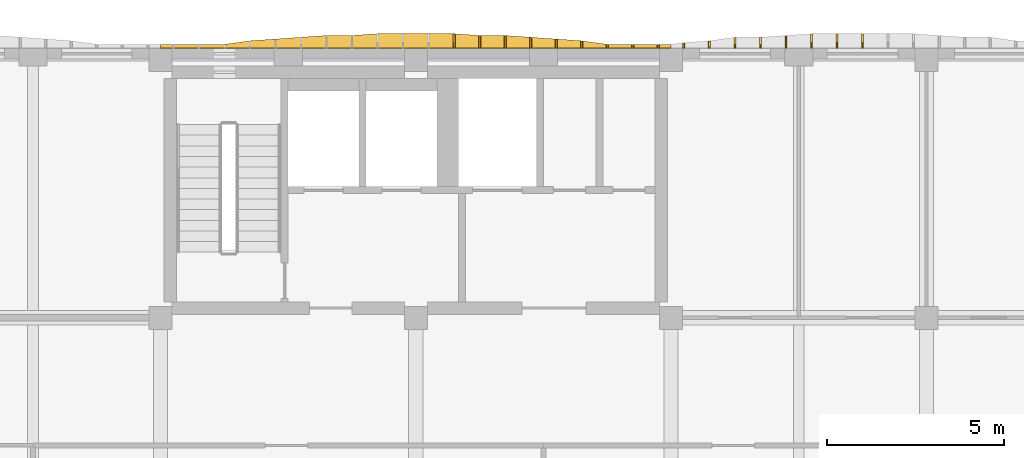
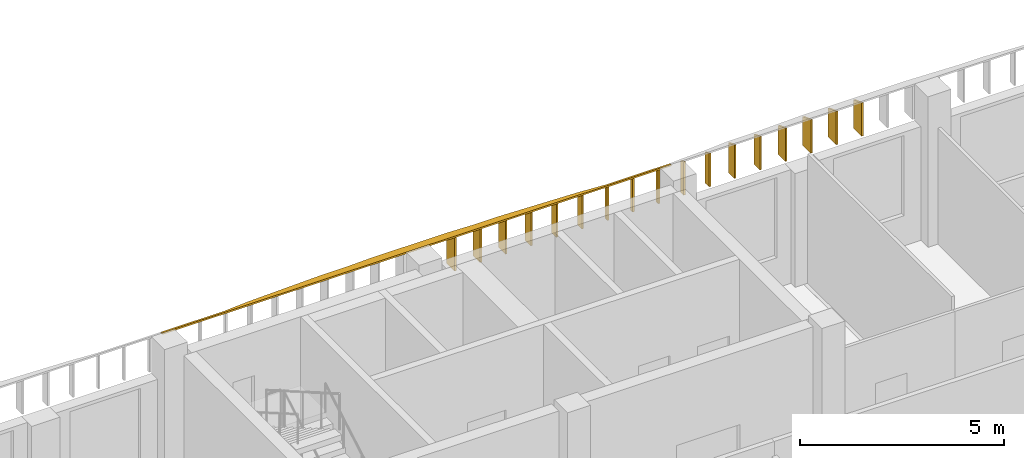
# One storey, part 44 of 54: 18 shading devices.
"""IFC4 building model written with IfcOpenShell, lengths in metres."""

from ifc_helpers import new_model, si_unit, direction, frame, origin, place, context, subcontext, project, spatial, polyline, outline, extrude, material, layer, layer_set, type_object, element, save


model = new_model("IFC4")

# Units and contexts
model_context = context("Model", 3, precision=1e-05, world=origin(), true_north=direction((0.0, 1.0)))
body_context = subcontext(model_context, "Body", "Model", "MODEL_VIEW")
ifc_project = project(units=[si_unit("LENGTHUNIT", "METRE"), si_unit("AREAUNIT", "SQUARE_METRE"), si_unit("VOLUMEUNIT", "CUBIC_METRE"), si_unit("PLANEANGLEUNIT", "RADIAN"), si_unit("MASSUNIT", "GRAM", prefix="KILO")], contexts=[model_context])

# Site, building, storey
site_placement = place(None, origin())
site = spatial("IfcSite", under=ifc_project, at=site_placement, CompositionType="ELEMENT")
building_placement = place(site_placement, origin())
building = spatial("IfcBuilding", under=site, at=building_placement, Name="Ussher Court Research Institute", CompositionType="ELEMENT")
storey_placement = place(building_placement, frame((0.0, 0.0, 14.39990234375)))
storey = spatial("IfcBuildingStorey", under=building, at=storey_placement, Name="L03", CompositionType="ELEMENT", Elevation=14.39990234375)

# Shading devices
ifc_material_1 = material(Name="Bronze anodised aluminium", Category="aluminium")
ifc_layer_1 = layer(ifc_material_1, 0.050048828125)
ifc_layer_set_1 = layer_set([ifc_layer_1], Name="Bronze anodised aluminium")
shading_device_type_1 = type_object("IfcShadingDeviceType", Name="Brim blade 100 mm deep 1000 mm high canted 20 deg dry", PredefinedType="USERDEFINED", material=ifc_layer_set_1)
for number, where, z_axis, x_axis, name in (
    (1, (58.800048828125, 90.800048828125, 3.4501953125), (0.0, 0.0, 1.0), (0.0, 1.0, 0.0), "Brim blade BS17 L03"),
    (2, (59.52001953125, 90.800048828125, 3.4501953125), (0.0, 0.0, 1.0), (0.0, 1.0, 0.0), "Brim blade BS17 L03"),
    (3, (60.239990234375, 90.800048828125, 3.4501953125), (0.0, 0.0, 1.0), (0.0, 1.0, 0.0), "Brim blade BS17 L03"),
):
    element("IfcShadingDevice", number, at=place(storey_placement, frame(where, z_axis=z_axis, x_axis=x_axis)), inside=storey, type_object=shading_device_type_1, Name=name, ObjectType="BLADE", PredefinedType="USERDEFINED", context=body_context, shape_type="SweptSolid", body=[
        extrude(outline(polyline([(0.0, 0.0), (0.099853515625, 0.0), (0.10009765625, 0.963623046875), (0.0, 1.0), (0.0, 0.0)])), frame((0.0, 0.02490234375, 0.0), z_axis=(0.0, -1.0, 0.0), x_axis=(1.0, 0.0, 0.0)), (0.0, 0.0, 1.0), 0.050048828125),
    ])
ifc_material_2 = material(Name="Bronze anodised aluminium", Category="aluminium")
ifc_layer_2 = layer(ifc_material_2, 0.050048828125)
ifc_layer_set_2 = layer_set([ifc_layer_2], Name="Bronze anodised aluminium")
shading_device_type_2 = type_object("IfcShadingDeviceType", Name="Brim blade 150 mm deep 1000 mm high canted 20 deg dry", PredefinedType="USERDEFINED", material=ifc_layer_set_2)
shading_device_1_placement = place(storey_placement, frame((60.9599609375, 90.800048828125, 3.4501953125), z_axis=(0.0, 0.0, 1.0), x_axis=(0.0, 1.0, 0.0)))
element("IfcShadingDevice", 4, at=shading_device_1_placement, inside=storey, type_object=shading_device_type_2, Name="Brim blade BS16 L03", ObjectType="BLADE", PredefinedType="USERDEFINED", context=body_context, shape_type="SweptSolid", body=[
    extrude(outline(polyline([(0.0, 0.0), (0.14990234375, 0.0), (0.14990234375, 0.9453125), (0.0, 1.0), (0.0, 0.0)])), frame((0.0, 0.02490234375, 0.0), z_axis=(0.0, -1.0, 0.0), x_axis=(1.0, 0.0, 0.0)), (0.0, 0.0, 1.0), 0.050048828125),
])
ifc_material_3 = material(Name="Bronze anodised aluminium", Category="aluminium")
ifc_layer_3 = layer(ifc_material_3, 0.050048828125)
ifc_layer_set_3 = layer_set([ifc_layer_3], Name="Bronze anodised aluminium")
shading_device_type_3 = type_object("IfcShadingDeviceType", Name="Brim blade 200 mm deep 1000 mm high canted 20 deg dry", PredefinedType="USERDEFINED", material=ifc_layer_set_3)
for number, where, z_axis, x_axis, name in (
    (5, (58.080078125, 90.800048828125, 3.4501953125), (0.0, 0.0, 1.0), (0.0, 1.0, 0.0), "Brim blade BS15 L03"),
    (6, (61.679931640625, 90.800048828125, 3.4501953125), (0.0, 0.0, 1.0), (0.0, 1.0, 0.0), "Brim blade BS15 L03"),
):
    element("IfcShadingDevice", number, at=place(storey_placement, frame(where, z_axis=z_axis, x_axis=x_axis)), inside=storey, type_object=shading_device_type_3, Name=name, ObjectType="BLADE", PredefinedType="USERDEFINED", context=body_context, shape_type="SweptSolid", body=[
        extrude(outline(polyline([(0.0, 0.0), (0.199951171875, 0.0), (0.199951171875, 0.927001953125), (0.0, 1.0), (0.0, 0.0)])), frame((0.0, 0.02490234375, 0.0), z_axis=(0.0, -1.0, 0.0), x_axis=(1.0, 0.0, 0.0)), (0.0, 0.0, 1.0), 0.050048828125),
    ])
ifc_material_4 = material(Name="Bronze anodised aluminium", Category="aluminium")
ifc_layer_4 = layer(ifc_material_4, 0.050048828125)
ifc_layer_set_4 = layer_set([ifc_layer_4], Name="Bronze anodised aluminium")
shading_device_type_4 = type_object("IfcShadingDeviceType", Name="Brim blade 250 mm deep 1000 mm high canted 20 deg dry", PredefinedType="USERDEFINED", material=ifc_layer_set_4)
shading_device_2_placement = place(storey_placement, frame((57.360107421875, 90.800048828125, 3.4501953125), z_axis=(0.0, 0.0, 1.0), x_axis=(0.0, 1.0, 0.0)))
element("IfcShadingDevice", 7, at=shading_device_2_placement, inside=storey, type_object=shading_device_type_4, Name="Brim blade BS14 L03", ObjectType="BLADE", PredefinedType="USERDEFINED", context=body_context, shape_type="SweptSolid", body=[
    extrude(outline(polyline([(0.0, 0.0), (0.25, 0.0), (0.25, 0.908935546875), (0.0, 1.0), (0.0, 0.0)])), frame((0.0, 0.02490234375, 0.0), z_axis=(0.0, -1.0, 0.0), x_axis=(1.0, 0.0, 0.0)), (0.0, 0.0, 1.0), 0.050048828125),
])
ifc_material_5 = material(Name="Bronze anodised aluminium", Category="aluminium")
ifc_layer_5 = layer(ifc_material_5, 0.050048828125)
ifc_layer_set_5 = layer_set([ifc_layer_5], Name="Bronze anodised aluminium")
shading_device_type_5 = type_object("IfcShadingDeviceType", Name="Brim blade 300 mm deep 1000 mm high canted 20 deg dry", PredefinedType="USERDEFINED", material=ifc_layer_set_5)
for number, where, z_axis, x_axis, name in (
    (8, (56.639892578125, 90.800048828125, 3.4501953125), (0.0, 0.0, 1.0), (0.0, 1.0, 0.0), "Brim blade BS13 L03"),
    (9, (62.39990234375, 90.800048828125, 3.4501953125), (0.0, 0.0, 1.0), (0.0, 1.0, 0.0), "Brim blade BS13 L03"),
    (10, (63.1201171875, 90.800048828125, 3.4501953125), (0.0, 0.0, 1.0), (0.0, 1.0, 0.0), "Brim blade BS13 L03"),
):
    element("IfcShadingDevice", number, at=place(storey_placement, frame(where, z_axis=z_axis, x_axis=x_axis)), inside=storey, type_object=shading_device_type_5, Name=name, ObjectType="BLADE", PredefinedType="USERDEFINED", context=body_context, shape_type="SweptSolid", body=[
        extrude(outline(polyline([(0.0, 0.0), (0.300048828125, 0.0), (0.300048828125, 0.890625), (0.0, 1.0), (0.0, 0.0)])), frame((0.0, 0.02490234375, 0.0), z_axis=(0.0, -1.0, 0.0), x_axis=(1.0, 0.0, 0.0)), (0.0, 0.0, 1.0), 0.050048828125),
    ])
ifc_material_6 = material(Name="Bronze anodised aluminium", Category="aluminium")
ifc_layer_6 = layer(ifc_material_6, 0.050048828125)
ifc_layer_set_6 = layer_set([ifc_layer_6], Name="Bronze anodised aluminium")
shading_device_type_6 = type_object("IfcShadingDeviceType", Name="Brim blade 350 mm deep 1000 mm high canted 20 deg dry", PredefinedType="USERDEFINED", material=ifc_layer_set_6)
for number, where, z_axis, x_axis, name in (
    (11, (55.199951171875, 90.800048828125, 3.4501953125), (0.0, 0.0, 1.0), (0.0, 1.0, 0.0), "Brim blade BS12 L03"),
    (12, (55.919921875, 90.800048828125, 3.4501953125), (0.0, 0.0, 1.0), (0.0, 1.0, 0.0), "Brim blade BS12 L03"),
    (13, (63.840087890625, 90.800048828125, 3.4501953125), (0.0, 0.0, 1.0), (0.0, 1.0, 0.0), "Brim blade BS12 L03"),
):
    element("IfcShadingDevice", number, at=place(storey_placement, frame(where, z_axis=z_axis, x_axis=x_axis)), inside=storey, type_object=shading_device_type_6, Name=name, ObjectType="BLADE", PredefinedType="USERDEFINED", context=body_context, shape_type="SweptSolid", body=[
        extrude(outline(polyline([(0.0, 0.0), (0.349853515625, 0.0), (0.35009765625, 0.87255859375), (0.0, 1.0), (0.0, 0.0)])), frame((0.0, 0.02490234375, 0.0), z_axis=(0.0, -1.0, 0.0), x_axis=(1.0, 0.0, 0.0)), (0.0, 0.0, 1.0), 0.050048828125),
    ])
ifc_material_7 = material(Name="Bronze anodised aluminium", Category="aluminium")
ifc_layer_7 = layer(ifc_material_7, 0.050048828125)
ifc_layer_set_7 = layer_set([ifc_layer_7], Name="Bronze anodised aluminium")
shading_device_type_7 = type_object("IfcShadingDeviceType", Name="Brim blade 400 mm deep 1000 mm high canted 20 deg dry", PredefinedType="USERDEFINED", material=ifc_layer_set_7)
for number, where, z_axis, x_axis, name in (
    (14, (54.47998046875, 90.800048828125, 3.4501953125), (0.0, 0.0, 1.0), (0.0, 1.0, 0.0), "Brim blade BS11 L03"),
    (15, (64.56005859375, 90.800048828125, 3.4501953125), (0.0, 0.0, 1.0), (0.0, 1.0, 0.0), "Brim blade BS11 L03"),
    (16, (65.280029296875, 90.800048828125, 3.4501953125), (0.0, 0.0, 1.0), (0.0, 1.0, 0.0), "Brim blade BS11 L03"),
    (17, (66.0, 90.800048828125, 3.4501953125), (0.0, 0.0, 1.0), (0.0, 1.0, 0.0), "Brim blade BS11 L03"),
):
    element("IfcShadingDevice", number, at=place(storey_placement, frame(where, z_axis=z_axis, x_axis=x_axis)), inside=storey, type_object=shading_device_type_7, Name=name, ObjectType="BLADE", PredefinedType="USERDEFINED", context=body_context, shape_type="SweptSolid", body=[
        extrude(outline(polyline([(0.0, 0.0), (0.39990234375, 0.0), (0.39990234375, 0.854248046875), (0.0, 1.0), (0.0, 0.0)])), frame((0.0, 0.02490234375, 0.0), z_axis=(0.0, -1.0, 0.0), x_axis=(1.0, 0.0, 0.0)), (0.0, 0.0, 1.0), 0.050048828125),
    ])
ifc_material_8 = material(Name="Bronze anodised aluminium", Category="aluminium")
ifc_layer_8 = layer(ifc_material_8, 0.0400390625)
ifc_layer_set_8 = layer_set([ifc_layer_8], Name="Bronze anodised aluminium")
shading_device_type_8 = type_object("IfcShadingDeviceType", Name="Brim visor sheet 40 mm canted 20 deg dry", PredefinedType="USERDEFINED", material=ifc_layer_set_8)
shading_device_3_placement = place(storey_placement, frame((46.199951171875, 90.813720703125, 4.48779296875), z_axis=(0.0, 0.342255779972, 0.9396068226), x_axis=(1.0, 0.0, 0.0)))
element("IfcShadingDevice", 18, at=shading_device_3_placement, inside=storey, type_object=shading_device_type_8, Name="Brim visor sheet BR2 L03", ObjectType="BRIM", PredefinedType="USERDEFINED", context=body_context, shape_type="SweptSolid", body=[
    extrude(outline(polyline([(0.0, 0.0), (14.400146484375, 0.0), (14.400146484375, 0.10650266320353347), (14.0400390625, 0.10650266320353347), (13.320068359375, 0.10650266320353347), (12.60009765625, 0.10650266320353347), (11.880126953125, 0.21285948875017546), (11.16015625, 0.2660690410819261), (10.43994140625, 0.319362151953709), (9.719970703125, 0.3725717042854596), (9.0, 0.3725717042854596), (8.280029296875, 0.4256354189603187), (7.56005859375, 0.4256354189603187), (6.840087890625, 0.4256354189603187), (6.1201171875, 0.4256354189603187), (5.400146484375, 0.3725717042854596), (4.679931640625, 0.3725717042854596), (3.9599609375, 0.319362151953709), (3.239990234375, 0.2660690410819261), (2.52001953125, 0.21285948875017546), (1.800048828125, 0.10650266320353347), (1.080078125, 0.10650266320353347), (0.360107421875, 0.10650266320353347), (0.0, 0.10650266320353347), (0.0, 0.0)])), origin(), (0.0, 0.0, -1.0), 0.0400390625),
])

save(model, "model.ifc")
